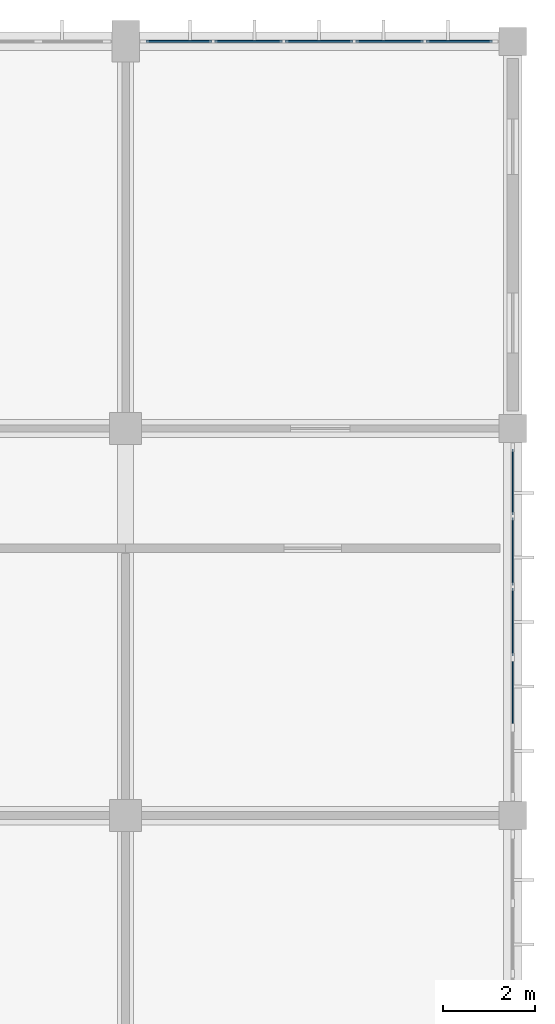
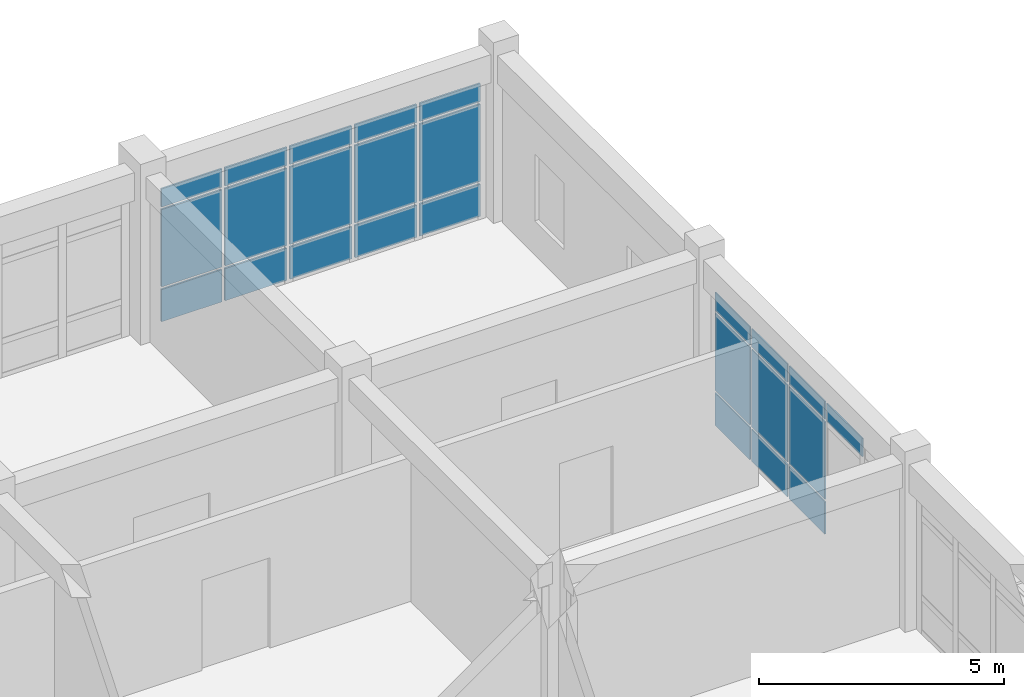
# One storey, part 90 of 144: 25 plates, 2 elements without a shape of their own.
"""IFC4 building model written with IfcOpenShell, lengths in metres."""

from ifc_helpers import new_model, si_unit, direction, frame, origin, origin_2d, place, context, subcontext, project, spatial, rectangle, extrude, material, layer, layer_set, type_object, element, aggregate, save


model = new_model("IFC4")

# Units and contexts
model_context = context("Model", 3, precision=1e-05, world=origin(), true_north=direction((0.0, 1.0)))
body_context = subcontext(model_context, "Body", "Model", "MODEL_VIEW")
ifc_project = project(units=[si_unit("LENGTHUNIT", "METRE"), si_unit("AREAUNIT", "SQUARE_METRE"), si_unit("VOLUMEUNIT", "CUBIC_METRE"), si_unit("PLANEANGLEUNIT", "RADIAN"), si_unit("MASSUNIT", "GRAM", prefix="KILO")], contexts=[model_context])

# Site, building, storey
site_placement = place(None, origin())
site = spatial("IfcSite", under=ifc_project, at=site_placement, CompositionType="ELEMENT")
building_placement = place(site_placement, origin())
building = spatial("IfcBuilding", under=site, at=building_placement, Name="Bramfleet General Hospital", CompositionType="ELEMENT")
storey_placement = place(building_placement, frame((0.0, 0.0, 4.800048828125)))
storey = spatial("IfcBuildingStorey", under=building, at=storey_placement, Name="L01", CompositionType="ELEMENT", Elevation=4.800048828125)

# Curtain wall, plates
ifc_material_1 = material(Name="Anodised aluminium and low-E triple glazing", Category="aluminium")
ifc_layer_1 = layer(ifc_material_1, 0.179931640625, Name="CWT-CW-13")
ifc_layer_set_1 = layer_set([ifc_layer_1], Name="Anodised aluminium and low-E triple glazing")
curtain_wall_type_1 = type_object("IfcCurtainWallType", Name="CWT-CW-13", PredefinedType="USERDEFINED", material=ifc_layer_set_1)
curtain_wall_1_placement = place(storey_placement, origin())
curtain_wall_1 = element("IfcCurtainWall", 1, at=curtain_wall_1_placement, inside=storey, type_object=curtain_wall_type_1, Name="L01 Curtain Wall 49", ObjectType="Stick curtain wall", PredefinedType="USERDEFINED")
ifc_material_2 = material(Name="Low-E laminated safety glass", Category="glass")
ifc_layer_2 = layer(ifc_material_2, 0.028076171875, Name="CWP-GLZ-1")
ifc_layer_set_2 = layer_set([ifc_layer_2], Name="Low-E laminated safety glass")
plate_type_1 = type_object("IfcPlateType", Name="CWP-GLZ-1", PredefinedType="CURTAIN_PANEL", material=ifc_layer_set_2)
plate_1_placement = place(storey_placement, frame((168.0, 108.04248046875, 0.06494140625), z_axis=(0.0, 0.0, 1.0), x_axis=(0.0, -1.0, 0.0)))
plate_1 = element("IfcPlate", 2, at=plate_1_placement, type_object=plate_type_1, Name="CW-13 panel 1.1", PredefinedType="CURTAIN_PANEL", context=body_context, shape_type="SweptSolid", body=[
    extrude(rectangle(XDim=1.425048828125, YDim=0.028076171875, at=origin_2d()), origin(), (0.0, 0.0, 1.0), 0.802490234375),
])
plate_2_placement = place(storey_placement, frame((168.0, 108.04248046875, 0.9326171875), z_axis=(0.0, 0.0, 1.0), x_axis=(0.0, -1.0, 0.0)))
plate_2 = element("IfcPlate", 3, at=plate_2_placement, type_object=plate_type_1, Name="CW-13 panel 1.2", PredefinedType="CURTAIN_PANEL", context=body_context, shape_type="SweptSolid", body=[
    extrude(rectangle(XDim=1.425048828125, YDim=0.028076171875, at=origin_2d()), origin(), (0.0, 0.0, 1.0), 1.925048828125),
])
plate_3_placement = place(storey_placement, frame((168.0, 108.04248046875, 2.92236328125), z_axis=(0.0, 0.0, 1.0), x_axis=(0.0, -1.0, 0.0)))
plate_3 = element("IfcPlate", 4, at=plate_3_placement, type_object=plate_type_1, Name="CW-13 panel 1.3", PredefinedType="CURTAIN_PANEL", context=body_context, shape_type="SweptSolid", body=[
    extrude(rectangle(XDim=1.425048828125, YDim=0.028076171875, at=origin_2d()), origin(), (0.0, 0.0, 1.0), 0.452392578125),
])
plate_4_placement = place(storey_placement, frame((168.0, 106.530029296875, 0.06494140625), z_axis=(0.0, 0.0, 1.0), x_axis=(0.0, -1.0, 0.0)))
plate_4 = element("IfcPlate", 5, at=plate_4_placement, type_object=plate_type_1, Name="CW-13 panel 2.1", PredefinedType="CURTAIN_PANEL", context=body_context, shape_type="SweptSolid", body=[
    extrude(rectangle(XDim=1.4599609375, YDim=0.028076171875, at=origin_2d()), origin(), (0.0, 0.0, 1.0), 0.802490234375),
])
plate_5_placement = place(storey_placement, frame((168.0, 106.530029296875, 0.9326171875), z_axis=(0.0, 0.0, 1.0), x_axis=(0.0, -1.0, 0.0)))
plate_5 = element("IfcPlate", 6, at=plate_5_placement, type_object=plate_type_1, Name="CW-13 panel 2.2", PredefinedType="CURTAIN_PANEL", context=body_context, shape_type="SweptSolid", body=[
    extrude(rectangle(XDim=1.4599609375, YDim=0.028076171875, at=origin_2d()), origin(), (0.0, 0.0, 1.0), 1.925048828125),
])
plate_6_placement = place(storey_placement, frame((168.0, 106.530029296875, 2.92236328125), z_axis=(0.0, 0.0, 1.0), x_axis=(0.0, -1.0, 0.0)))
plate_6 = element("IfcPlate", 7, at=plate_6_placement, type_object=plate_type_1, Name="CW-13 panel 2.3", PredefinedType="CURTAIN_PANEL", context=body_context, shape_type="SweptSolid", body=[
    extrude(rectangle(XDim=1.4599609375, YDim=0.028076171875, at=origin_2d()), origin(), (0.0, 0.0, 1.0), 0.452392578125),
])
plate_7_placement = place(storey_placement, frame((168.0, 105.0, 0.06494140625), z_axis=(0.0, 0.0, 1.0), x_axis=(0.0, -1.0, 0.0)))
plate_7 = element("IfcPlate", 8, at=plate_7_placement, type_object=plate_type_1, Name="CW-13 panel 3.1", PredefinedType="CURTAIN_PANEL", context=body_context, shape_type="SweptSolid", body=[
    extrude(rectangle(XDim=1.4599609375, YDim=0.028076171875, at=origin_2d()), origin(), (0.0, 0.0, 1.0), 0.802490234375),
])
plate_8_placement = place(storey_placement, frame((168.0, 105.0, 0.9326171875), z_axis=(0.0, 0.0, 1.0), x_axis=(0.0, -1.0, 0.0)))
plate_8 = element("IfcPlate", 9, at=plate_8_placement, type_object=plate_type_1, Name="CW-13 panel 3.2", PredefinedType="CURTAIN_PANEL", context=body_context, shape_type="SweptSolid", body=[
    extrude(rectangle(XDim=1.4599609375, YDim=0.028076171875, at=origin_2d()), origin(), (0.0, 0.0, 1.0), 1.925048828125),
])
plate_9_placement = place(storey_placement, frame((168.0, 105.0, 2.92236328125), z_axis=(0.0, 0.0, 1.0), x_axis=(0.0, -1.0, 0.0)))
plate_9 = element("IfcPlate", 10, at=plate_9_placement, type_object=plate_type_1, Name="CW-13 panel 3.3", PredefinedType="CURTAIN_PANEL", context=body_context, shape_type="SweptSolid", body=[
    extrude(rectangle(XDim=1.4599609375, YDim=0.028076171875, at=origin_2d()), origin(), (0.0, 0.0, 1.0), 0.452392578125),
])
plate_10_placement = place(storey_placement, frame((168.0, 103.469970703125, 2.92236328125), z_axis=(0.0, 0.0, 1.0), x_axis=(0.0, -1.0, 0.0)))
plate_10 = element("IfcPlate", 11, at=plate_10_placement, type_object=plate_type_1, Name="CW-13 panel 4.3", PredefinedType="CURTAIN_PANEL", context=body_context, shape_type="SweptSolid", body=[
    extrude(rectangle(XDim=1.4599609375, YDim=0.028076171875, at=origin_2d()), origin(), (0.0, 0.0, 1.0), 0.452392578125),
])
aggregate(curtain_wall_1, [plate_1, plate_2, plate_3, plate_4, plate_5, plate_6, plate_7, plate_8, plate_9, plate_10])

ifc_layer_3 = layer(ifc_material_1, 0.179931640625, Name="CWT-CW-12")
ifc_layer_set_3 = layer_set([ifc_layer_3], Name="Anodised aluminium and low-E triple glazing")
curtain_wall_type_2 = type_object("IfcCurtainWallType", Name="CWT-CW-12", PredefinedType="USERDEFINED", material=ifc_layer_set_3)
curtain_wall_2_placement = place(storey_placement, origin())
curtain_wall_2 = element("IfcCurtainWall", 12, at=curtain_wall_2_placement, inside=storey, type_object=curtain_wall_type_2, Name="L01 Curtain Wall 48", ObjectType="Stick curtain wall", PredefinedType="USERDEFINED")
ifc_layer_4 = layer(ifc_material_2, 0.0419921875, Name="CWP-GLZ-4")
ifc_layer_set_4 = layer_set([ifc_layer_4], Name="Low-E laminated safety glass")
plate_type_2 = type_object("IfcPlateType", Name="CWP-GLZ-4", PredefinedType="CURTAIN_PANEL", material=ifc_layer_set_4)
plate_11_placement = place(storey_placement, frame((160.757568359375, 117.60009765625, 0.06494140625), z_axis=(0.0, 0.0, 1.0), x_axis=(1.0, 0.0, 0.0)))
plate_11 = element("IfcPlate", 13, at=plate_11_placement, type_object=plate_type_2, Name="CW-12 panel 1.1", PredefinedType="CURTAIN_PANEL", context=body_context, shape_type="SweptSolid", body=[
    extrude(rectangle(XDim=1.425048828125, YDim=0.0419921875, at=origin_2d()), origin(), (0.0, 0.0, 1.0), 0.802490234375),
])
plate_12_placement = place(storey_placement, frame((160.757568359375, 117.60009765625, 0.9326171875), z_axis=(0.0, 0.0, 1.0), x_axis=(1.0, 0.0, 0.0)))
plate_12 = element("IfcPlate", 14, at=plate_12_placement, type_object=plate_type_2, Name="CW-12 panel 1.2", PredefinedType="CURTAIN_PANEL", context=body_context, shape_type="SweptSolid", body=[
    extrude(rectangle(XDim=1.425048828125, YDim=0.0419921875, at=origin_2d()), origin(), (0.0, 0.0, 1.0), 1.925048828125),
])
plate_13_placement = place(storey_placement, frame((160.757568359375, 117.60009765625, 2.92236328125), z_axis=(0.0, 0.0, 1.0), x_axis=(1.0, 0.0, 0.0)))
plate_13 = element("IfcPlate", 15, at=plate_13_placement, type_object=plate_type_2, Name="CW-12 panel 1.3", PredefinedType="CURTAIN_PANEL", context=body_context, shape_type="SweptSolid", body=[
    extrude(rectangle(XDim=1.425048828125, YDim=0.0419921875, at=origin_2d()), origin(), (0.0, 0.0, 1.0), 0.452392578125),
])
plate_14_placement = place(storey_placement, frame((162.27001953125, 117.60009765625, 0.06494140625), z_axis=(0.0, 0.0, 1.0), x_axis=(1.0, 0.0, 0.0)))
plate_14 = element("IfcPlate", 16, at=plate_14_placement, type_object=plate_type_2, Name="CW-12 panel 2.1", PredefinedType="CURTAIN_PANEL", context=body_context, shape_type="SweptSolid", body=[
    extrude(rectangle(XDim=1.4599609375, YDim=0.0419921875, at=origin_2d()), origin(), (0.0, 0.0, 1.0), 0.802490234375),
])
plate_15_placement = place(storey_placement, frame((162.27001953125, 117.60009765625, 0.9326171875), z_axis=(0.0, 0.0, 1.0), x_axis=(1.0, 0.0, 0.0)))
plate_15 = element("IfcPlate", 17, at=plate_15_placement, type_object=plate_type_2, Name="CW-12 panel 2.2", PredefinedType="CURTAIN_PANEL", context=body_context, shape_type="SweptSolid", body=[
    extrude(rectangle(XDim=1.4599609375, YDim=0.0419921875, at=origin_2d()), origin(), (0.0, 0.0, 1.0), 1.925048828125),
])
plate_16_placement = place(storey_placement, frame((162.27001953125, 117.60009765625, 2.92236328125), z_axis=(0.0, 0.0, 1.0), x_axis=(1.0, 0.0, 0.0)))
plate_16 = element("IfcPlate", 18, at=plate_16_placement, type_object=plate_type_2, Name="CW-12 panel 2.3", PredefinedType="CURTAIN_PANEL", context=body_context, shape_type="SweptSolid", body=[
    extrude(rectangle(XDim=1.4599609375, YDim=0.0419921875, at=origin_2d()), origin(), (0.0, 0.0, 1.0), 0.452392578125),
])
plate_17_placement = place(storey_placement, frame((163.800048828125, 117.60009765625, 0.06494140625), z_axis=(0.0, 0.0, 1.0), x_axis=(1.0, 0.0, 0.0)))
plate_17 = element("IfcPlate", 19, at=plate_17_placement, type_object=plate_type_2, Name="CW-12 panel 3.1", PredefinedType="CURTAIN_PANEL", context=body_context, shape_type="SweptSolid", body=[
    extrude(rectangle(XDim=1.4599609375, YDim=0.0419921875, at=origin_2d()), origin(), (0.0, 0.0, 1.0), 0.802490234375),
])
plate_18_placement = place(storey_placement, frame((163.800048828125, 117.60009765625, 0.9326171875), z_axis=(0.0, 0.0, 1.0), x_axis=(1.0, 0.0, 0.0)))
plate_18 = element("IfcPlate", 20, at=plate_18_placement, type_object=plate_type_2, Name="CW-12 panel 3.2", PredefinedType="CURTAIN_PANEL", context=body_context, shape_type="SweptSolid", body=[
    extrude(rectangle(XDim=1.4599609375, YDim=0.0419921875, at=origin_2d()), origin(), (0.0, 0.0, 1.0), 1.925048828125),
])
plate_19_placement = place(storey_placement, frame((163.800048828125, 117.60009765625, 2.92236328125), z_axis=(0.0, 0.0, 1.0), x_axis=(1.0, 0.0, 0.0)))
plate_19 = element("IfcPlate", 21, at=plate_19_placement, type_object=plate_type_2, Name="CW-12 panel 3.3", PredefinedType="CURTAIN_PANEL", context=body_context, shape_type="SweptSolid", body=[
    extrude(rectangle(XDim=1.4599609375, YDim=0.0419921875, at=origin_2d()), origin(), (0.0, 0.0, 1.0), 0.452392578125),
])
plate_20_placement = place(storey_placement, frame((165.330078125, 117.60009765625, 0.06494140625), z_axis=(0.0, 0.0, 1.0), x_axis=(1.0, 0.0, 0.0)))
plate_20 = element("IfcPlate", 22, at=plate_20_placement, type_object=plate_type_2, Name="CW-12 panel 4.1", PredefinedType="CURTAIN_PANEL", context=body_context, shape_type="SweptSolid", body=[
    extrude(rectangle(XDim=1.4599609375, YDim=0.0419921875, at=origin_2d()), origin(), (0.0, 0.0, 1.0), 0.802490234375),
])
plate_21_placement = place(storey_placement, frame((165.330078125, 117.60009765625, 0.9326171875), z_axis=(0.0, 0.0, 1.0), x_axis=(1.0, 0.0, 0.0)))
plate_21 = element("IfcPlate", 23, at=plate_21_placement, type_object=plate_type_2, Name="CW-12 panel 4.2", PredefinedType="CURTAIN_PANEL", context=body_context, shape_type="SweptSolid", body=[
    extrude(rectangle(XDim=1.4599609375, YDim=0.0419921875, at=origin_2d()), origin(), (0.0, 0.0, 1.0), 1.925048828125),
])
plate_22_placement = place(storey_placement, frame((165.330078125, 117.60009765625, 2.92236328125), z_axis=(0.0, 0.0, 1.0), x_axis=(1.0, 0.0, 0.0)))
plate_22 = element("IfcPlate", 24, at=plate_22_placement, type_object=plate_type_2, Name="CW-12 panel 4.3", PredefinedType="CURTAIN_PANEL", context=body_context, shape_type="SweptSolid", body=[
    extrude(rectangle(XDim=1.4599609375, YDim=0.0419921875, at=origin_2d()), origin(), (0.0, 0.0, 1.0), 0.452392578125),
])
plate_23_placement = place(storey_placement, frame((166.842529296875, 117.60009765625, 0.06494140625), z_axis=(0.0, 0.0, 1.0), x_axis=(1.0, 0.0, 0.0)))
plate_23 = element("IfcPlate", 25, at=plate_23_placement, type_object=plate_type_2, Name="CW-12 panel 5.1", PredefinedType="CURTAIN_PANEL", context=body_context, shape_type="SweptSolid", body=[
    extrude(rectangle(XDim=1.425048828125, YDim=0.0419921875, at=origin_2d()), origin(), (0.0, 0.0, 1.0), 0.802490234375),
])
plate_24_placement = place(storey_placement, frame((166.842529296875, 117.60009765625, 0.9326171875), z_axis=(0.0, 0.0, 1.0), x_axis=(1.0, 0.0, 0.0)))
plate_24 = element("IfcPlate", 26, at=plate_24_placement, type_object=plate_type_2, Name="CW-12 panel 5.2", PredefinedType="CURTAIN_PANEL", context=body_context, shape_type="SweptSolid", body=[
    extrude(rectangle(XDim=1.425048828125, YDim=0.0419921875, at=origin_2d()), origin(), (0.0, 0.0, 1.0), 1.925048828125),
])
plate_25_placement = place(storey_placement, frame((166.842529296875, 117.60009765625, 2.92236328125), z_axis=(0.0, 0.0, 1.0), x_axis=(1.0, 0.0, 0.0)))
plate_25 = element("IfcPlate", 27, at=plate_25_placement, type_object=plate_type_2, Name="CW-12 panel 5.3", PredefinedType="CURTAIN_PANEL", context=body_context, shape_type="SweptSolid", body=[
    extrude(rectangle(XDim=1.425048828125, YDim=0.0419921875, at=origin_2d()), origin(), (0.0, 0.0, 1.0), 0.452392578125),
])
aggregate(curtain_wall_2, [plate_11, plate_12, plate_13, plate_14, plate_15, plate_16, plate_17, plate_18, plate_19, plate_20, plate_21, plate_22, plate_23, plate_24, plate_25])

save(model, "model.ifc")
